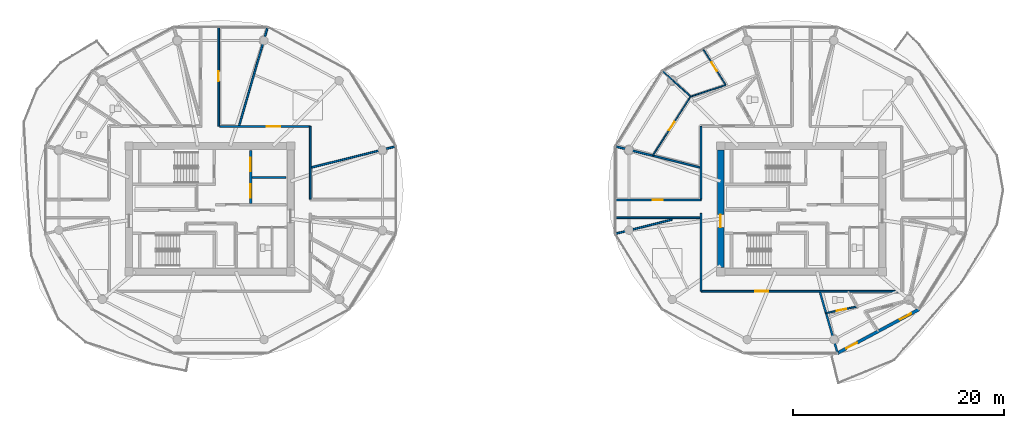
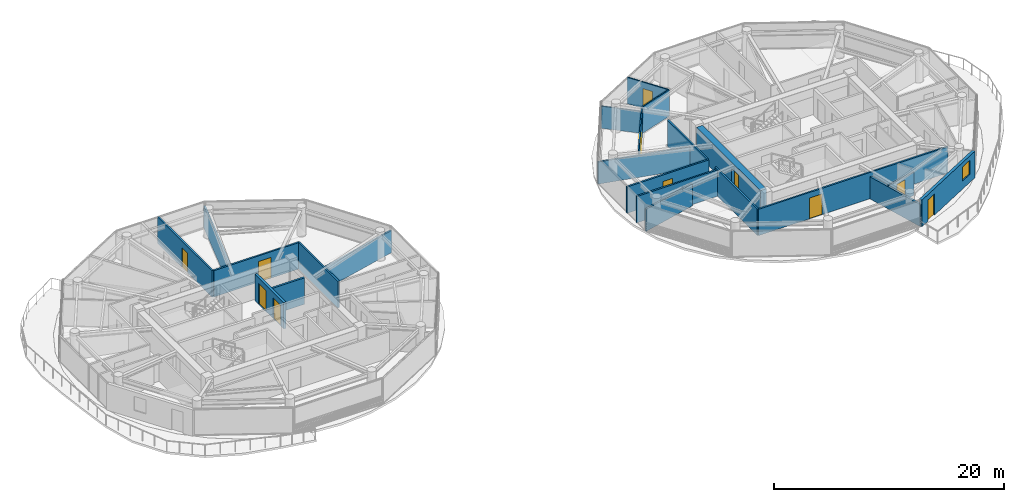
# One storey, part 15 of 25: 22 walls, 11 doors, 1 window, 12 openings.
"""IFC4 building model written with IfcOpenShell, lengths in metres."""

from ifc_helpers import new_model, si_unit, direction, frame, frame_2d, origin, place, context, subcontext, project, spatial, rectangle, extrude, source, transform, mapped, material, layer, layer_set, type_object, type_shapes, element, fill, save


model = new_model("IFC4")

# Units and contexts
model_context = context("Model", 3, precision=1e-05, world=origin(), true_north=direction((0.0, 1.0)))
body_context = subcontext(model_context, "Body", "Model", "MODEL_VIEW")
ifc_project = project(units=[si_unit("LENGTHUNIT", "METRE"), si_unit("AREAUNIT", "SQUARE_METRE"), si_unit("VOLUMEUNIT", "CUBIC_METRE"), si_unit("PLANEANGLEUNIT", "RADIAN"), si_unit("MASSUNIT", "GRAM", prefix="KILO")], contexts=[model_context])

# Site, building, storey
site_placement = place(None, origin())
site = spatial("IfcSite", under=ifc_project, at=site_placement, CompositionType="ELEMENT")
building_placement = place(site_placement, origin())
building = spatial("IfcBuilding", under=site, at=building_placement, Name="Norrkilde Senior Care Towers", CompositionType="ELEMENT")
storey_placement = place(building_placement, frame((0.0, 0.0, 161.75)))
storey = spatial("IfcBuildingStorey", under=building, at=storey_placement, Name="L50", CompositionType="ELEMENT", Elevation=161.75)

# Wall, opening, door
ifc_material_1 = material(Name="Concrete C50/60", Category="concrete")
ifc_layer_1 = layer(ifc_material_1, 0.6201171875)
ifc_layer_set_1 = layer_set([ifc_layer_1], Name="Concrete C50/60")
wall_type_1 = type_object("IfcWallType", Name="Core Shear Wall Z3 620", PredefinedType="SHEAR", material=ifc_layer_set_1)
shared_shape_1 = source(origin(), body_context, "Body", "SweptSolid", [
    extrude(rectangle(XDim=11.10009765625, YDim=0.6201171875, at=frame_2d((5.550048828125, 0.0))), origin(), (0.0, 0.0, 1.0), 2.81005859375),
])
type_shapes(wall_type_1, [shared_shape_1])
wall_1_placement = place(storey_placement, frame((20.35009765625, -5.550048828125, 0.0), z_axis=(0.0, 0.0, 1.0), x_axis=(0.0, 1.0, 0.0)))
wall_1 = element("IfcWall", 1, at=wall_1_placement, inside=storey, type_object=wall_type_1, Name="L50 Core E West Shear Wall", PredefinedType="SHEAR", context=body_context, shape_type="MappedRepresentation", body=[
    mapped(shared_shape_1, transform((0.0, 0.0, 0.0), x_axis=(1.0, 0.0, 0.0), y_axis=(0.0, 1.0, 0.0), z_axis=(0.0, 0.0, 1.0), scale=1.0)),
])
opening_1_placement = place(wall_1_placement, frame((3.800048828125, 0.0, 0.0)))
opening_1 = element("IfcOpeningElement", 2, at=opening_1_placement, cuts=wall_1, Name="Opening D-04", PredefinedType="OPENING", context=body_context, shape_type="SweptSolid", body=[
    extrude(rectangle(XDim=1.199951171875, YDim=2.14990234375, at=frame_2d((0.60009765625, 1.074951171875))), frame((0.0, 0.320068359375, 0.0), z_axis=(0.0, -1.0, 0.0), x_axis=(1.0, 0.0, 0.0)), (0.0, 0.0, 1.0), 0.64013671875),
])
ifc_material_2 = material(Name="Galvanised Painted Steel", Category="steel")
door_type_1 = type_object("IfcDoorType", Name="Firefighting Lobby Fire Door 1200x2150", OperationType="NOTDEFINED", PredefinedType="DOOR", material=ifc_material_2)
shared_shape_2 = source(origin(), body_context, "Body", "SweptSolid", [
    extrude(rectangle(XDim=1.199951171875, YDim=2.14990234375, at=frame_2d((0.60009765625, 1.074951171875))), frame((0.0, 0.02490234375, 0.0), z_axis=(0.0, -1.0, 0.0), x_axis=(1.0, 0.0, 0.0)), (0.0, 0.0, 1.0), 0.050048828125),
])
type_shapes(door_type_1, [shared_shape_2])
door_1_placement = place(opening_1_placement, frame((1.199951171875, 0.0, 0.0), z_axis=(0.0, 0.0, 1.0), x_axis=(-1.0, 0.0, 0.0)))
door_1 = element("IfcDoor", 3, at=door_1_placement, inside=storey, type_object=door_type_1, Name="L50 Core E West Portal Door", OperationType="SINGLE_SWING_LEFT", OverallHeight=2.14990234375, OverallWidth=1.199951171875, PredefinedType="DOOR", context=body_context, shape_type="MappedRepresentation", body=[
    mapped(shared_shape_2, transform((0.0, 0.0, 0.0), x_axis=(1.0, 0.0, 0.0), y_axis=(0.0, 1.0, 0.0), z_axis=(0.0, 0.0, 1.0), scale=1.0)),
])
fill(opening_1, door_1)

# Wall, openings, door, window
ifc_material_3 = material(Name="Precast concrete C45/55", Category="concrete")
ifc_layer_2 = layer(ifc_material_3, 0.2900390625)
ifc_layer_set_2 = layer_set([ifc_layer_2], Name="Precast concrete C45/55")
wall_type_2 = type_object("IfcWallType", Name="Winter Garden Facade Wall 290", PredefinedType="SOLIDWALL", material=ifc_layer_set_2)
shared_shape_3 = source(origin(), body_context, "Body", "SweptSolid", [
    extrude(rectangle(XDim=8.74169921875, YDim=0.2900390625, at=frame_2d((4.370849609375, 0.0))), origin(), (0.0, 0.0, 1.0), 2.81005859375),
])
type_shapes(wall_type_2, [shared_shape_3])
wall_2_placement = place(storey_placement, frame((39.123046875, -9.524169921875, 0.0), z_axis=(0.0, 0.0, 1.0), x_axis=(-0.880992489116, -0.473130250693, 0.0)))
wall_2 = element("IfcWall", 4, at=wall_2_placement, inside=storey, type_object=wall_type_2, Name="L50 Drum E Balcony Access Wall 09", PredefinedType="SOLIDWALL", context=body_context, shape_type="MappedRepresentation", body=[
    mapped(shared_shape_3, transform((0.0, 0.0, 0.0), x_axis=(1.0, 0.0, 0.0), y_axis=(0.0, 1.0, 0.0), z_axis=(0.0, 0.0, 1.0), scale=1.0)),
])
opening_2_placement = place(wall_2_placement, frame((6.659912109375, 0.0, 0.0)))
opening_2 = element("IfcOpeningElement", 5, at=opening_2_placement, cuts=wall_2, Name="Opening D-09", PredefinedType="OPENING", context=body_context, shape_type="SweptSolid", body=[
    extrude(rectangle(XDim=1.14990234375, YDim=2.25, at=frame_2d((0.574951171875, 1.125))), frame((0.0, 0.155029296875, 0.0), z_axis=(0.0, -1.0, 0.0), x_axis=(1.0, 0.0, 0.0)), (0.0, 0.0, 1.0), 0.31005859375),
])
opening_3_placement = place(wall_2_placement, frame((0.85009765625, 0.0, 0.85009765625)))
opening_3 = element("IfcOpeningElement", 6, at=opening_3_placement, cuts=wall_2, Name="Opening WN-07", PredefinedType="OPENING", context=body_context, shape_type="SweptSolid", body=[
    extrude(rectangle(XDim=1.199951171875, YDim=1.5, at=frame_2d((0.60009765625, 0.75))), frame((0.0, 0.155029296875, 0.0), z_axis=(0.0, -1.0, 0.0), x_axis=(1.0, 0.0, 0.0)), (0.0, 0.0, 1.0), 0.31005859375),
])
ifc_material_4 = material(Name="Anodised Aluminium", Category="aluminium")
door_type_2 = type_object("IfcDoorType", Name="Terrace and Balcony Glazed Door 1150x2250", OperationType="NOTDEFINED", PredefinedType="DOOR", material=ifc_material_4)
shared_shape_4 = source(origin(), body_context, "Body", "SweptSolid", [
    extrude(rectangle(XDim=1.14990234375, YDim=2.25, at=frame_2d((0.574951171875, 1.125))), frame((0.0, 0.02490234375, 0.0), z_axis=(0.0, -1.0, 0.0), x_axis=(1.0, 0.0, 0.0)), (0.0, 0.0, 1.0), 0.050048828125),
])
type_shapes(door_type_2, [shared_shape_4])
door_2_placement = place(opening_2_placement, origin())
door_2 = element("IfcDoor", 7, at=door_2_placement, inside=storey, type_object=door_type_2, Name="L50 Drum E Outdoor Terrace Door 09", OperationType="SINGLE_SWING_RIGHT", OverallHeight=2.25, OverallWidth=1.14990234375, PredefinedType="DOOR", context=body_context, shape_type="MappedRepresentation", body=[
    mapped(shared_shape_4, transform((0.0, 0.0, 0.0), x_axis=(1.0, 0.0, 0.0), y_axis=(0.0, 1.0, 0.0), z_axis=(0.0, 0.0, 1.0), scale=1.0)),
])
fill(opening_2, door_2)
ifc_material_5 = material(Name="Triple Low-E Insulated Glazing", Category="glass")
window_type = type_object("IfcWindowType", Name="Stairwell Smoke Vent Window 1200x1500", PartitioningType="SINGLE_PANEL", PredefinedType="WINDOW", material=ifc_material_5)
shared_shape_5 = source(origin(), body_context, "Body", "SweptSolid", [
    extrude(rectangle(XDim=1.199951171875, YDim=1.5, at=frame_2d((0.60009765625, 0.75))), frame((0.0, 0.030029296875, 0.0), z_axis=(0.0, -1.0, 0.0), x_axis=(1.0, 0.0, 0.0)), (0.0, 0.0, 1.0), 0.06005859375),
])
type_shapes(window_type, [shared_shape_5])
window_placement = place(opening_3_placement, origin())
window = element("IfcWindow", 8, at=window_placement, inside=storey, type_object=window_type, Name="L50 Drum E Winter Garden Window 09", OverallHeight=1.5, OverallWidth=1.199951171875, PartitioningType="SINGLE_PANEL", PredefinedType="WINDOW", context=body_context, shape_type="MappedRepresentation", body=[
    mapped(shared_shape_5, transform((0.0, 0.0, 0.0), x_axis=(1.0, 0.0, 0.0), y_axis=(0.0, 1.0, 0.0), z_axis=(0.0, 0.0, 1.0), scale=1.0)),
])
fill(opening_3, window)

# Wall, openings, doors
ifc_material_6 = material(Name="Concrete C45/55", Category="concrete")
ifc_layer_3 = layer(ifc_material_6, 0.239990234375)
ifc_layer_set_3 = layer_set([ifc_layer_3], Name="Concrete C45/55")
wall_type_3 = type_object("IfcWallType", Name="Lift and Plant Rated Enclosure Partition 240", PredefinedType="PARTITIONING", material=ifc_layer_set_3)
shared_shape_6 = source(origin(), body_context, "Body", "SweptSolid", [
    extrude(rectangle(XDim=5.0, YDim=0.239990234375, at=frame_2d((2.5, 0.0))), origin(), (0.0, 0.0, 1.0), 2.794921875),
])
type_shapes(wall_type_3, [shared_shape_6])
wall_3_placement = place(storey_placement, frame((-24.139892578125, 0.5, 0.0), z_axis=(0.0, 0.0, 1.0), x_axis=(0.0, 1.0, 0.0)))
wall_3 = element("IfcWall", 9, at=wall_3_placement, inside=storey, type_object=wall_type_3, Name="WL-INT-L50-W-FFLE", PredefinedType="PARTITIONING", context=body_context, shape_type="MappedRepresentation", body=[
    mapped(shared_shape_6, transform((0.0, 0.0, 0.0), x_axis=(1.0, 0.0, 0.0), y_axis=(0.0, 1.0, 0.0), z_axis=(0.0, 0.0, 1.0), scale=1.0)),
])
opening_4_placement = place(wall_3_placement, frame((3.050048828125, 0.0, 0.0)))
opening_4 = element("IfcOpeningElement", 10, at=opening_4_placement, cuts=wall_3, Name="Opening LD-02", PredefinedType="OPENING", context=body_context, shape_type="SweptSolid", body=[
    extrude(rectangle(XDim=1.300048828125, YDim=2.199951171875, at=frame_2d((0.64990234375, 1.10009765625))), frame((0.0, 0.1298828125, 0.0), z_axis=(0.0, -1.0, 0.0), x_axis=(1.0, 0.0, 0.0)), (0.0, 0.0, 1.0), 0.260009765625),
])
opening_5_placement = place(wall_3_placement, frame((0.550048828125, 0.0, 0.0)))
opening_5 = element("IfcOpeningElement", 11, at=opening_5_placement, cuts=wall_3, Name="Opening LD-02", PredefinedType="OPENING", context=body_context, shape_type="SweptSolid", body=[
    extrude(rectangle(XDim=1.300048828125, YDim=2.199951171875, at=frame_2d((0.64990234375, 1.10009765625))), frame((0.0, 0.1298828125, 0.0), z_axis=(0.0, -1.0, 0.0), x_axis=(1.0, 0.0, 0.0)), (0.0, 0.0, 1.0), 0.260009765625),
])
ifc_material_7 = material(Name="Stainless Steel", Category="steel")
door_type_3 = type_object("IfcDoorType", Name="Stretcher and FFL Landing Sliding Door 1300x2200", OperationType="NOTDEFINED", PredefinedType="DOOR", material=ifc_material_7)
shared_shape_7 = source(origin(), body_context, "Body", "SweptSolid", [
    extrude(rectangle(XDim=1.300048828125, YDim=2.199951171875, at=frame_2d((0.64990234375, 1.10009765625))), frame((0.0, 0.02490234375, 0.0), z_axis=(0.0, -1.0, 0.0), x_axis=(1.0, 0.0, 0.0)), (0.0, 0.0, 1.0), 0.050048828125),
])
type_shapes(door_type_3, [shared_shape_7])
door_3_placement = place(opening_4_placement, origin())
door_3 = element("IfcDoor", 12, at=door_3_placement, inside=storey, type_object=door_type_3, Name="L50 Firefighting Lift W1 Landing Door", OperationType="SLIDING_TO_LEFT", OverallHeight=2.199951171875, OverallWidth=1.300048828125, PredefinedType="DOOR", context=body_context, shape_type="MappedRepresentation", body=[
    mapped(shared_shape_7, transform((0.0, 0.0, 0.0), x_axis=(1.0, 0.0, 0.0), y_axis=(0.0, 1.0, 0.0), z_axis=(0.0, 0.0, 1.0), scale=1.0)),
])
fill(opening_4, door_3)
door_4_placement = place(opening_5_placement, origin())
door_4 = element("IfcDoor", 13, at=door_4_placement, inside=storey, type_object=door_type_3, Name="L50 Stretcher Lift W1 Landing Door", OperationType="SLIDING_TO_RIGHT", OverallHeight=2.199951171875, OverallWidth=1.300048828125, PredefinedType="DOOR", context=body_context, shape_type="MappedRepresentation", body=[
    mapped(shared_shape_7, transform((0.0, 0.0, 0.0), x_axis=(1.0, 0.0, 0.0), y_axis=(0.0, 1.0, 0.0), z_axis=(0.0, 0.0, 1.0), scale=1.0)),
])
fill(opening_5, door_4)

# Walls
ifc_layer_4 = layer(ifc_material_6, 0.199951171875)
ifc_layer_set_4 = layer_set([ifc_layer_4], Name="Concrete C45/55")
wall_type_4 = type_object("IfcWallType", Name="Shaft Division and Plant Partition 200", PredefinedType="PARTITIONING", material=ifc_layer_set_4)
shared_shape_8 = source(origin(), body_context, "Body", "SweptSolid", [
    extrude(rectangle(XDim=3.199951171875, YDim=0.199951171875, at=frame_2d((1.60009765625, 0.0))), origin(), (0.0, 0.0, 1.0), 2.794921875),
])
type_shapes(wall_type_4, [shared_shape_8])
wall_4_placement = place(storey_placement, frame((-24.0, 2.949951171875, 0.0), z_axis=(0.0, 0.0, 1.0), x_axis=(1.0, 0.0, 0.0)))
element("IfcWall", 14, at=wall_4_placement, inside=storey, type_object=wall_type_4, Name="WL-INT-L50-W-FFLDIV", PredefinedType="PARTITIONING", context=body_context, shape_type="MappedRepresentation", body=[
    mapped(shared_shape_8, transform((0.0, 0.0, 0.0), x_axis=(1.0, 0.0, 0.0), y_axis=(0.0, 1.0, 0.0), z_axis=(0.0, 0.0, 1.0), scale=1.0)),
])
ifc_material_8 = material(Name="Gypsum Acoustic Board")
ifc_layer_5 = layer(ifc_material_8, 0.1650390625)
ifc_layer_set_5 = layer_set([ifc_layer_5], Name="Gypsum Acoustic Board")
wall_type_5 = type_object("IfcWallType", Name="Corridor Rated Partition 165", PredefinedType="PARTITIONING", material=ifc_layer_set_5)
shared_shape_9 = source(origin(), body_context, "Body", "SweptSolid", [
    extrude(rectangle(XDim=9.73046875, YDim=0.1650390625, at=frame_2d((4.865234375, 0.0))), origin(), (0.0, 0.0, 1.0), 2.344970703125),
])
wall_5_placement = place(storey_placement, frame((-25.216552734375, 7.8798828125, 0.0), z_axis=(0.0, 0.0, 1.0), x_axis=(0.27679492614, 0.960929013436, 0.0)))
element("IfcWall", 15, at=wall_5_placement, inside=storey, type_object=wall_type_5, Name="WL-INT-L50-W-DEM-02-0", PredefinedType="PARTITIONING", context=body_context, shape_type="MappedRepresentation", body=[
    mapped(shared_shape_9, transform((0.0, 0.0, 0.0), x_axis=(1.0, 0.0, 0.0), y_axis=(0.0, 1.0, 0.0), z_axis=(0.0, 0.0, 1.0), scale=1.0)),
])
shared_shape_10 = source(origin(), body_context, "Body", "SweptSolid", [
    extrude(rectangle(XDim=5.564453125, YDim=0.1650390625, at=frame_2d((2.7822265625, 0.0))), origin(), (0.0, 0.0, 1.0), 2.344970703125),
])
wall_6_placement = place(storey_placement, frame((15.76025390625, -1.02001953125, 0.0), z_axis=(0.0, 0.0, 1.0), x_axis=(-0.970315176167, -0.241843872984, 0.0)))
element("IfcWall", 16, at=wall_6_placement, inside=storey, type_object=wall_type_5, Name="WL-INT-L50-E-DEM-06-0", PredefinedType="PARTITIONING", context=body_context, shape_type="MappedRepresentation", body=[
    mapped(shared_shape_10, transform((0.0, 0.0, 0.0), x_axis=(1.0, 0.0, 0.0), y_axis=(0.0, 1.0, 0.0), z_axis=(0.0, 0.0, 1.0), scale=1.0)),
])
shared_shape_11 = source(origin(), body_context, "Body", "SweptSolid", [
    extrude(rectangle(XDim=8.305419921875, YDim=0.1650390625, at=frame_2d((4.15283203125, 0.0))), origin(), (0.0, 0.0, 1.0), 2.344970703125),
])
for number, where, z_axis, x_axis, name in (
    (17, (-18.419921875, 3.90771484375, 0.0), (0.0, 0.0, 1.0), (0.970309994378, 0.241864662175, 0.0), "WL-INT-L50-W-DEM-00-0"),
    (18, (18.419921875, 3.90771484375, 0.0), (0.0, 0.0, 1.0), (-0.970309994378, 0.241864662175, 0.0), "WL-INT-L50-E-DEM-05-0"),
):
    element("IfcWall", number, at=place(storey_placement, frame(where, z_axis=z_axis, x_axis=x_axis)), inside=storey, type_object=wall_type_5, Name=name, PredefinedType="PARTITIONING", context=body_context, shape_type="MappedRepresentation", body=[
        mapped(shared_shape_11, transform((0.0, 0.0, 0.0), x_axis=(1.0, 0.0, 0.0), y_axis=(0.0, 1.0, 0.0), z_axis=(0.0, 0.0, 1.0), scale=1.0)),
    ])
ifc_layer_6 = layer(ifc_material_8, 0.114990234375)
ifc_layer_set_6 = layer_set([ifc_layer_6], Name="Gypsum Acoustic Board")
wall_type_6 = type_object("IfcWallType", Name="Internal Room Partition 115", PredefinedType="PARTITIONING", material=ifc_layer_set_6)
shared_shape_12 = source(origin(), body_context, "Body", "SweptSolid", [
    extrude(rectangle(XDim=3.647705078125, YDim=0.114990234375, at=frame_2d((1.82373046875, 0.0))), origin(), (0.0, 0.0, 1.0), 2.344970703125),
])
wall_7_placement = place(storey_placement, frame((17.5087890625, 10.632080078125, 0.0), z_axis=(0.0, 0.0, 1.0), x_axis=(-0.739109697605, 0.67358507622, 0.0)))
element("IfcWall", 19, at=wall_7_placement, inside=storey, type_object=wall_type_6, Name="WL-INT-L50-E-UBR-03-1", PredefinedType="PARTITIONING", context=body_context, shape_type="MappedRepresentation", body=[
    mapped(shared_shape_12, transform((0.0, 0.0, 0.0), x_axis=(1.0, 0.0, 0.0), y_axis=(0.0, 1.0, 0.0), z_axis=(0.0, 0.0, 1.0), scale=1.0)),
])
ifc_layer_7 = layer(ifc_material_8, 0.18994140625)
ifc_layer_set_7 = layer_set([ifc_layer_7], Name="Gypsum Acoustic Board")
wall_type_7 = type_object("IfcWallType", Name="Unit Demising Acoustic Wall 190", PredefinedType="PARTITIONING", material=ifc_layer_set_7)
shared_shape_13 = source(origin(), body_context, "Body", "SweptSolid", [
    extrude(rectangle(XDim=6.035400390625, YDim=0.18994140625, at=frame_2d((3.017578125, 0.0))), origin(), (0.0, 0.0, 1.0), 2.344970703125),
])
type_shapes(wall_type_7, [shared_shape_13])
wall_8_placement = place(storey_placement, frame((29.756103515625, -7.8798828125, 0.0), z_axis=(0.0, 0.0, 1.0), x_axis=(0.276809454862, -0.960924828329, 0.0)))
element("IfcWall", 20, at=wall_8_placement, inside=storey, type_object=wall_type_7, Name="WL-INT-L50-E-DEM-09-0", PredefinedType="PARTITIONING", context=body_context, shape_type="MappedRepresentation", body=[
    mapped(shared_shape_13, transform((0.0, 0.0, 0.0), x_axis=(1.0, 0.0, 0.0), y_axis=(0.0, 1.0, 0.0), z_axis=(0.0, 0.0, 1.0), scale=1.0)),
])

# Wall, opening, door
ifc_layer_8 = layer(ifc_material_8, 0.139892578125)
ifc_layer_set_8 = layer_set([ifc_layer_8], Name="Gypsum Acoustic Board")
wall_type_8 = type_object("IfcWallType", Name="En-suite Wet Room Wall 140", PredefinedType="PARTITIONING", material=ifc_layer_set_8)
shared_shape_14 = source(origin(), body_context, "Body", "SweptSolid", [
    extrude(rectangle(XDim=2.995361328125, YDim=0.139892578125, at=frame_2d((1.49755859375, 0.0))), origin(), (0.0, 0.0, 1.0), 2.43505859375),
])
type_shapes(wall_type_8, [shared_shape_14])
wall_9_placement = place(storey_placement, frame((33.2412109375, -9.251220703125, 0.0), z_axis=(0.0, 0.0, 1.0), x_axis=(-0.978075914325, -0.208248663425, 0.0)))
wall_9 = element("IfcWall", 21, at=wall_9_placement, inside=storey, type_object=wall_type_8, Name="WL-INT-L50-E-UBTF-09", PredefinedType="PARTITIONING", context=body_context, shape_type="MappedRepresentation", body=[
    mapped(shared_shape_14, transform((0.0, 0.0, 0.0), x_axis=(1.0, 0.0, 0.0), y_axis=(0.0, 1.0, 0.0), z_axis=(0.0, 0.0, 1.0), scale=1.0)),
])
opening_6_placement = place(wall_9_placement, frame((1.03759765625, 0.0, 0.0)))
opening_6 = element("IfcOpeningElement", 22, at=opening_6_placement, cuts=wall_9, Name="Opening D-08", PredefinedType="OPENING", context=body_context, shape_type="SweptSolid", body=[
    extrude(rectangle(XDim=0.919921875, YDim=2.10009765625, at=frame_2d((0.4599609375, 1.050048828125))), frame((0.0, 0.079833984375, 0.0), z_axis=(0.0, -1.0, 0.0), x_axis=(1.0, 0.0, 0.0)), (0.0, 0.0, 1.0), 0.159912109375),
])
ifc_material_9 = material(Name="Nordic Ash Timber", Category="wood")
door_type_4 = type_object("IfcDoorType", Name="Accessible Wet Room Door 920x2100", OperationType="NOTDEFINED", PredefinedType="DOOR", material=ifc_material_9)
shared_shape_15 = source(origin(), body_context, "Body", "SweptSolid", [
    extrude(rectangle(XDim=0.919921875, YDim=2.10009765625, at=frame_2d((0.4599609375, 1.050048828125))), frame((0.0, 0.02490234375, 0.0), z_axis=(0.0, -1.0, 0.0), x_axis=(1.0, 0.0, 0.0)), (0.0, 0.0, 1.0), 0.050048828125),
])
type_shapes(door_type_4, [shared_shape_15])
door_5_placement = place(opening_6_placement, origin())
door_5 = element("IfcDoor", 23, at=door_5_placement, inside=storey, type_object=door_type_4, Name="Apartment 50D Bathroom Door", OperationType="SINGLE_SWING_LEFT", OverallHeight=2.10009765625, OverallWidth=0.919921875, PredefinedType="DOOR", context=body_context, shape_type="MappedRepresentation", body=[
    mapped(shared_shape_15, transform((0.0, 0.0, 0.0), x_axis=(1.0, 0.0, 0.0), y_axis=(0.0, 1.0, 0.0), z_axis=(0.0, 0.0, 1.0), scale=1.0)),
])
fill(opening_6, door_5)

shared_shape_16 = source(origin(), body_context, "Body", "SweptSolid", [
    extrude(rectangle(XDim=8.580078125, YDim=0.1650390625, at=frame_2d((4.2900390625, 0.0))), origin(), (0.0, 0.0, 1.0), 2.794921875),
])
wall_10_placement = place(storey_placement, frame((-27.080078125, 7.800048828125, 0.0), z_axis=(0.0, 0.0, 1.0), x_axis=(1.0, 0.0, 0.0)))
wall_10 = element("IfcWall", 24, at=wall_10_placement, inside=storey, type_object=wall_type_5, Name="WL-INT-L50-W-CRW-N-1", PredefinedType="PARTITIONING", context=body_context, shape_type="MappedRepresentation", body=[
    mapped(shared_shape_16, transform((0.0, 0.0, 0.0), x_axis=(1.0, 0.0, 0.0), y_axis=(0.0, 1.0, 0.0), z_axis=(0.0, 0.0, 1.0), scale=1.0)),
])
opening_7_placement = place(wall_10_placement, frame((4.4873046875, 0.0, 0.0)))
opening_7 = element("IfcOpeningElement", 25, at=opening_7_placement, cuts=wall_10, Name="Opening D-05", PredefinedType="OPENING", context=body_context, shape_type="SweptSolid", body=[
    extrude(rectangle(XDim=1.25, YDim=2.199951171875, at=frame_2d((0.625, 1.10009765625))), frame((0.0, 0.092529296875, 0.0), z_axis=(0.0, -1.0, 0.0), x_axis=(1.0, 0.0, 0.0)), (0.0, 0.0, 1.0), 0.18505859375),
])
door_type_5 = type_object("IfcDoorType", Name="Care Bedroom Bariatric Door 1250x2200", OperationType="NOTDEFINED", PredefinedType="DOOR", material=ifc_material_9)
shared_shape_17 = source(origin(), body_context, "Body", "SweptSolid", [
    extrude(rectangle(XDim=1.25, YDim=2.199951171875, at=frame_2d((0.625, 1.10009765625))), frame((0.0, 0.02490234375, 0.0), z_axis=(0.0, -1.0, 0.0), x_axis=(1.0, 0.0, 0.0)), (0.0, 0.0, 1.0), 0.050048828125),
])
type_shapes(door_type_5, [shared_shape_17])
door_6_placement = place(opening_7_placement, frame((1.25, 0.0, 0.0), z_axis=(0.0, 0.0, 1.0), x_axis=(-1.0, 0.0, 0.0)))
door_6 = element("IfcDoor", 26, at=door_6_placement, inside=storey, type_object=door_type_5, Name="L50 Resident Therapeutic Day Lounge Door", OperationType="SINGLE_SWING_LEFT", OverallHeight=2.199951171875, OverallWidth=1.25, PredefinedType="DOOR", context=body_context, shape_type="MappedRepresentation", body=[
    mapped(shared_shape_17, transform((0.0, 0.0, 0.0), x_axis=(1.0, 0.0, 0.0), y_axis=(0.0, 1.0, 0.0), z_axis=(0.0, 0.0, 1.0), scale=1.0)),
])
fill(opening_7, door_6)

shared_shape_18 = source(origin(), body_context, "Body", "SweptSolid", [
    extrude(rectangle(XDim=19.0, YDim=0.1650390625, at=frame_2d((9.5, 0.0))), origin(), (0.0, 0.0, 1.0), 2.794921875),
])
wall_11_placement = place(storey_placement, frame((37.5, -7.800048828125, 0.0), z_axis=(0.0, 0.0, 1.0), x_axis=(-1.0, 0.0, 0.0)))
wall_11 = element("IfcWall", 27, at=wall_11_placement, inside=storey, type_object=wall_type_5, Name="WL-INT-L50-E-CRW-S-0", PredefinedType="PARTITIONING", context=body_context, shape_type="MappedRepresentation", body=[
    mapped(shared_shape_18, transform((0.0, 0.0, 0.0), x_axis=(1.0, 0.0, 0.0), y_axis=(0.0, 1.0, 0.0), z_axis=(0.0, 0.0, 1.0), scale=1.0)),
])
opening_8_placement = place(wall_11_placement, frame((12.623291015625, 0.0, 0.0)))
opening_8 = element("IfcOpeningElement", 28, at=opening_8_placement, cuts=wall_11, Name="Opening D-05", PredefinedType="OPENING", context=body_context, shape_type="SweptSolid", body=[
    extrude(rectangle(XDim=1.25, YDim=2.199951171875, at=frame_2d((0.625, 1.10009765625))), frame((0.0, 0.092529296875, 0.0), z_axis=(0.0, -1.0, 0.0), x_axis=(1.0, 0.0, 0.0)), (0.0, 0.0, 1.0), 0.18505859375),
])
door_7_placement = place(opening_8_placement, frame((1.25, 0.0, 0.0), z_axis=(0.0, 0.0, 1.0), x_axis=(-1.0, 0.0, 0.0)))
door_7 = element("IfcDoor", 29, at=door_7_placement, inside=storey, type_object=door_type_5, Name="L50 Senior Wellness Library Lounge Door", OperationType="SINGLE_SWING_LEFT", OverallHeight=2.199951171875, OverallWidth=1.25, PredefinedType="DOOR", context=body_context, shape_type="MappedRepresentation", body=[
    mapped(shared_shape_17, transform((0.0, 0.0, 0.0), x_axis=(1.0, 0.0, 0.0), y_axis=(0.0, 1.0, 0.0), z_axis=(0.0, 0.0, 1.0), scale=1.0)),
])
fill(opening_8, door_7)

# Walls
shared_shape_19 = source(origin(), body_context, "Body", "SweptSolid", [
    extrude(rectangle(XDim=6.880126953125, YDim=0.1650390625, at=frame_2d((3.43994140625, 0.0))), origin(), (0.0, 0.0, 1.0), 2.794921875),
])
for number, where, z_axis, x_axis, name in (
    (30, (-18.5, 7.800048828125, 0.0), (0.0, 0.0, 1.0), (0.0, -1.0, 0.0), "WL-INT-L50-W-CRW-E-0"),
    (31, (18.5, 0.919921875, 0.0), (0.0, 0.0, 1.0), (0.0, 1.0, 0.0), "WL-INT-L50-E-CRW-W-1"),
):
    element("IfcWall", number, at=place(storey_placement, frame(where, z_axis=z_axis, x_axis=x_axis)), inside=storey, type_object=wall_type_5, Name=name, PredefinedType="PARTITIONING", context=body_context, shape_type="MappedRepresentation", body=[
        mapped(shared_shape_19, transform((0.0, 0.0, 0.0), x_axis=(1.0, 0.0, 0.0), y_axis=(0.0, 1.0, 0.0), z_axis=(0.0, 0.0, 1.0), scale=1.0)),
    ])
shared_shape_20 = source(origin(), body_context, "Body", "SweptSolid", [
    extrude(rectangle(XDim=7.364501953125, YDim=0.1650390625, at=frame_2d((3.68212890625, 0.0))), origin(), (0.0, 0.0, 1.0), 2.794921875),
])
wall_12_placement = place(storey_placement, frame((18.5, -7.800048828125, 0.0), z_axis=(0.0, 0.0, 1.0), x_axis=(0.0, 1.0, 0.0)))
element("IfcWall", 32, at=wall_12_placement, inside=storey, type_object=wall_type_5, Name="WL-INT-L50-E-CRW-W-0", PredefinedType="PARTITIONING", context=body_context, shape_type="MappedRepresentation", body=[
    mapped(shared_shape_20, transform((0.0, 0.0, 0.0), x_axis=(1.0, 0.0, 0.0), y_axis=(0.0, 1.0, 0.0), z_axis=(0.0, 0.0, 1.0), scale=1.0)),
])

# Wall, opening, door
shared_shape_21 = source(origin(), body_context, "Body", "SweptSolid", [
    extrude(rectangle(XDim=9.480224609375, YDim=0.1650390625, at=frame_2d((4.740234375, 0.0))), origin(), (0.0, 0.0, 1.0), 2.794921875),
])
wall_13_placement = place(storey_placement, frame((-27.159912109375, 17.2802734375, 0.0), z_axis=(0.0, 0.0, 1.0), x_axis=(0.0, -1.0, 0.0)))
wall_13 = element("IfcWall", 33, at=wall_13_placement, inside=storey, type_object=wall_type_5, Name="WL-INT-L50-W-SPK-N2-0", PredefinedType="PARTITIONING", context=body_context, shape_type="MappedRepresentation", body=[
    mapped(shared_shape_21, transform((0.0, 0.0, 0.0), x_axis=(1.0, 0.0, 0.0), y_axis=(0.0, 1.0, 0.0), z_axis=(0.0, 0.0, 1.0), scale=1.0)),
])
opening_9_placement = place(wall_13_placement, frame((4.26513671875, 0.0, 0.0)))
opening_9 = element("IfcOpeningElement", 34, at=opening_9_placement, cuts=wall_13, Name="Opening D-07", PredefinedType="OPENING", context=body_context, shape_type="SweptSolid", body=[
    extrude(rectangle(XDim=0.949951171875, YDim=2.10009765625, at=frame_2d((0.47509765625, 1.050048828125))), frame((0.0, 0.092529296875, 0.0), z_axis=(0.0, -1.0, 0.0), x_axis=(1.0, 0.0, 0.0)), (0.0, 0.0, 1.0), 0.18505859375),
])
door_type_6 = type_object("IfcDoorType", Name="Internal Suite Bedroom Door 950x2100", OperationType="NOTDEFINED", PredefinedType="DOOR", material=ifc_material_9)
shared_shape_22 = source(origin(), body_context, "Body", "SweptSolid", [
    extrude(rectangle(XDim=0.949951171875, YDim=2.10009765625, at=frame_2d((0.47509765625, 1.050048828125))), frame((0.0, 0.02490234375, 0.0), z_axis=(0.0, -1.0, 0.0), x_axis=(1.0, 0.0, 0.0)), (0.0, 0.0, 1.0), 0.050048828125),
])
type_shapes(door_type_6, [shared_shape_22])
door_8_placement = place(opening_9_placement, frame((0.949951171875, 0.0, 0.0), z_axis=(0.0, 0.0, 1.0), x_axis=(-1.0, 0.0, 0.0)))
door_8 = element("IfcDoor", 35, at=door_8_placement, inside=storey, type_object=door_type_6, Name="L50 Sun Reading Lounge 4 Door", OperationType="SINGLE_SWING_LEFT", OverallHeight=2.10009765625, OverallWidth=0.949951171875, PredefinedType="DOOR", context=body_context, shape_type="MappedRepresentation", body=[
    mapped(shared_shape_22, transform((0.0, 0.0, 0.0), x_axis=(1.0, 0.0, 0.0), y_axis=(0.0, 1.0, 0.0), z_axis=(0.0, 0.0, 1.0), scale=1.0)),
])
fill(opening_9, door_8)

shared_shape_23 = source(origin(), body_context, "Body", "SweptSolid", [
    extrude(rectangle(XDim=8.18896484375, YDim=0.1650390625, at=frame_2d((4.094482421875, 0.0))), origin(), (0.0, 0.0, 1.0), 2.794921875),
])
type_shapes(wall_type_5, [shared_shape_9, shared_shape_10, shared_shape_11, shared_shape_16, shared_shape_18, shared_shape_19, shared_shape_20, shared_shape_21, shared_shape_23])
wall_14_placement = place(storey_placement, frame((10.31103515625, 0.840087890625, 0.0), z_axis=(0.0, 0.0, 1.0), x_axis=(1.0, 0.0, 0.0)))
wall_14 = element("IfcWall", 36, at=wall_14_placement, inside=storey, type_object=wall_type_5, Name="WL-INT-L50-E-SPK-W1-0", PredefinedType="PARTITIONING", context=body_context, shape_type="MappedRepresentation", body=[
    mapped(shared_shape_23, transform((0.0, 0.0, 0.0), x_axis=(1.0, 0.0, 0.0), y_axis=(0.0, 1.0, 0.0), z_axis=(0.0, 0.0, 1.0), scale=1.0)),
])
opening_10_placement = place(wall_14_placement, frame((3.619384765625, 0.0, 0.0)))
opening_10 = element("IfcOpeningElement", 37, at=opening_10_placement, cuts=wall_14, Name="Opening D-07", PredefinedType="OPENING", context=body_context, shape_type="SweptSolid", body=[
    extrude(rectangle(XDim=0.949951171875, YDim=2.10009765625, at=frame_2d((0.47509765625, 1.050048828125))), frame((0.0, 0.092529296875, 0.0), z_axis=(0.0, -1.0, 0.0), x_axis=(1.0, 0.0, 0.0)), (0.0, 0.0, 1.0), 0.18505859375),
])
door_9_placement = place(opening_10_placement, frame((0.949951171875, 0.0, 0.0), z_axis=(0.0, 0.0, 1.0), x_axis=(-1.0, 0.0, 0.0)))
door_9 = element("IfcDoor", 38, at=door_9_placement, inside=storey, type_object=door_type_6, Name="L50 Sun Reading Lounge 2 Door", OperationType="SINGLE_SWING_LEFT", OverallHeight=2.10009765625, OverallWidth=0.949951171875, PredefinedType="DOOR", context=body_context, shape_type="MappedRepresentation", body=[
    mapped(shared_shape_22, transform((0.0, 0.0, 0.0), x_axis=(1.0, 0.0, 0.0), y_axis=(0.0, 1.0, 0.0), z_axis=(0.0, 0.0, 1.0), scale=1.0)),
])
fill(opening_10, door_9)

# Wall
wall_15_placement = place(storey_placement, frame((18.5, -0.840087890625, 0.0), z_axis=(0.0, 0.0, 1.0), x_axis=(-1.0, 0.0, 0.0)))
element("IfcWall", 39, at=wall_15_placement, inside=storey, type_object=wall_type_5, Name="WL-INT-L50-E-SPK-W2-0", PredefinedType="PARTITIONING", context=body_context, shape_type="MappedRepresentation", body=[
    mapped(shared_shape_23, transform((0.0, 0.0, 0.0), x_axis=(1.0, 0.0, 0.0), y_axis=(0.0, 1.0, 0.0), z_axis=(0.0, 0.0, 1.0), scale=1.0)),
])

# Wall, opening, door
shared_shape_24 = source(origin(), body_context, "Body", "SweptSolid", [
    extrude(rectangle(XDim=6.654052734375, YDim=0.114990234375, at=frame_2d((3.3271484375, 0.0))), origin(), (0.0, 0.0, 1.0), 2.794921875),
])
wall_16_placement = place(storey_placement, frame((17.5087890625, 10.632080078125, 0.0), z_axis=(0.0, 0.0, 1.0), x_axis=(-0.53923796816, -0.842153438332, 0.0)))
wall_16 = element("IfcWall", 40, at=wall_16_placement, inside=storey, type_object=wall_type_6, Name="WL-INT-L50-E-UBC-03-1", PredefinedType="PARTITIONING", context=body_context, shape_type="MappedRepresentation", body=[
    mapped(shared_shape_24, transform((0.0, 0.0, 0.0), x_axis=(1.0, 0.0, 0.0), y_axis=(0.0, 1.0, 0.0), z_axis=(0.0, 0.0, 1.0), scale=1.0)),
])
opening_11_placement = place(wall_16_placement, frame((2.85205078125, 0.0, 0.0)))
opening_11 = element("IfcOpeningElement", 41, at=opening_11_placement, cuts=wall_16, Name="Opening D-07", PredefinedType="OPENING", context=body_context, shape_type="SweptSolid", body=[
    extrude(rectangle(XDim=0.949951171875, YDim=2.10009765625, at=frame_2d((0.47509765625, 1.050048828125))), frame((0.0, 0.0673828125, 0.0), z_axis=(0.0, -1.0, 0.0), x_axis=(1.0, 0.0, 0.0)), (0.0, 0.0, 1.0), 0.135009765625),
])
door_10_placement = place(opening_11_placement, origin())
door_10 = element("IfcDoor", 42, at=door_10_placement, inside=storey, type_object=door_type_6, Name="Apartment 50B Bedroom 1 Door", OperationType="SINGLE_SWING_LEFT", OverallHeight=2.10009765625, OverallWidth=0.949951171875, PredefinedType="DOOR", context=body_context, shape_type="MappedRepresentation", body=[
    mapped(shared_shape_22, transform((0.0, 0.0, 0.0), x_axis=(1.0, 0.0, 0.0), y_axis=(0.0, 1.0, 0.0), z_axis=(0.0, 0.0, 1.0), scale=1.0)),
])
fill(opening_11, door_10)

shared_shape_25 = source(origin(), body_context, "Body", "SweptSolid", [
    extrude(rectangle(XDim=4.065673828125, YDim=0.114990234375, at=frame_2d((2.03271484375, 0.0))), origin(), (0.0, 0.0, 1.0), 2.794921875),
])
wall_17_placement = place(storey_placement, frame((20.837646484375, 11.721435546875, 0.0), z_axis=(0.0, 0.0, 1.0), x_axis=(-0.533669868169, 0.8456928945, 0.0)))
wall_17 = element("IfcWall", 43, at=wall_17_placement, inside=storey, type_object=wall_type_6, Name="WL-INT-L50-E-UKTS-03", PredefinedType="PARTITIONING", context=body_context, shape_type="MappedRepresentation", body=[
    mapped(shared_shape_25, transform((0.0, 0.0, 0.0), x_axis=(1.0, 0.0, 0.0), y_axis=(0.0, 1.0, 0.0), z_axis=(0.0, 0.0, 1.0), scale=1.0)),
])
opening_12_placement = place(wall_17_placement, frame((1.557861328125, 0.0, 0.0)))
opening_12 = element("IfcOpeningElement", 44, at=opening_12_placement, cuts=wall_17, Name="Opening D-07", PredefinedType="OPENING", context=body_context, shape_type="SweptSolid", body=[
    extrude(rectangle(XDim=0.949951171875, YDim=2.10009765625, at=frame_2d((0.47509765625, 1.050048828125))), frame((0.0, 0.0673828125, 0.0), z_axis=(0.0, -1.0, 0.0), x_axis=(1.0, 0.0, 0.0)), (0.0, 0.0, 1.0), 0.135009765625),
])
door_11_placement = place(opening_12_placement, frame((0.949951171875, 0.0, 0.0), z_axis=(0.0, 0.0, 1.0), x_axis=(-1.0, 0.0, 0.0)))
door_11 = element("IfcDoor", 45, at=door_11_placement, inside=storey, type_object=door_type_6, Name="Apartment 50B Kitchen Door", OperationType="SINGLE_SWING_RIGHT", OverallHeight=2.10009765625, OverallWidth=0.949951171875, PredefinedType="DOOR", context=body_context, shape_type="MappedRepresentation", body=[
    mapped(shared_shape_22, transform((0.0, 0.0, 0.0), x_axis=(1.0, 0.0, 0.0), y_axis=(0.0, 1.0, 0.0), z_axis=(0.0, 0.0, 1.0), scale=1.0)),
])
fill(opening_12, door_11)

# Wall
shared_shape_26 = source(origin(), body_context, "Body", "SweptSolid", [
    extrude(rectangle(XDim=3.496337890625, YDim=0.114990234375, at=frame_2d((1.748046875, 0.0))), origin(), (0.0, 0.0, 1.0), 2.794921875),
])
type_shapes(wall_type_6, [shared_shape_12, shared_shape_24, shared_shape_25, shared_shape_26])
wall_18_placement = place(storey_placement, frame((20.837646484375, 11.721435546875, 0.0), z_axis=(0.0, 0.0, 1.0), x_axis=(-0.949420852529, -0.314006440672, 0.0)))
element("IfcWall", 46, at=wall_18_placement, inside=storey, type_object=wall_type_6, Name="WL-INT-L50-E-UKTF-03", PredefinedType="PARTITIONING", context=body_context, shape_type="MappedRepresentation", body=[
    mapped(shared_shape_26, transform((0.0, 0.0, 0.0), x_axis=(1.0, 0.0, 0.0), y_axis=(0.0, 1.0, 0.0), z_axis=(0.0, 0.0, 1.0), scale=1.0)),
])

save(model, "model.ifc")
